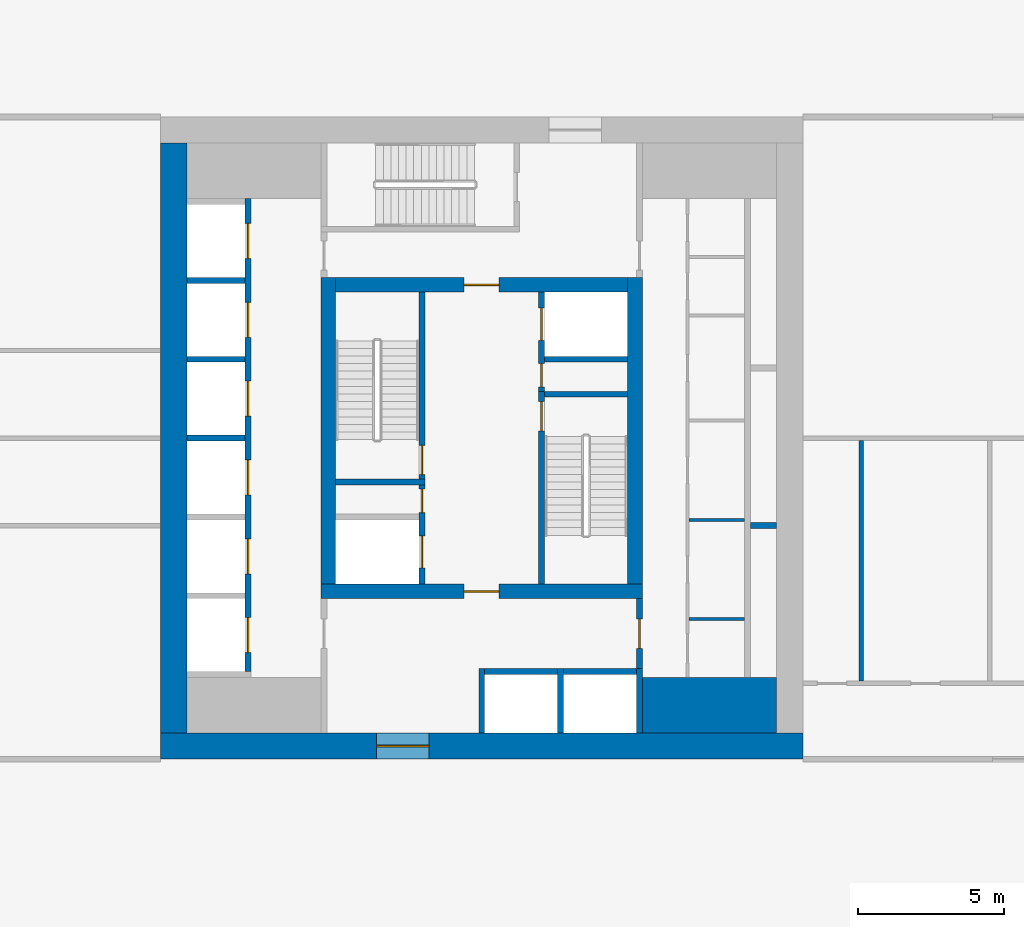
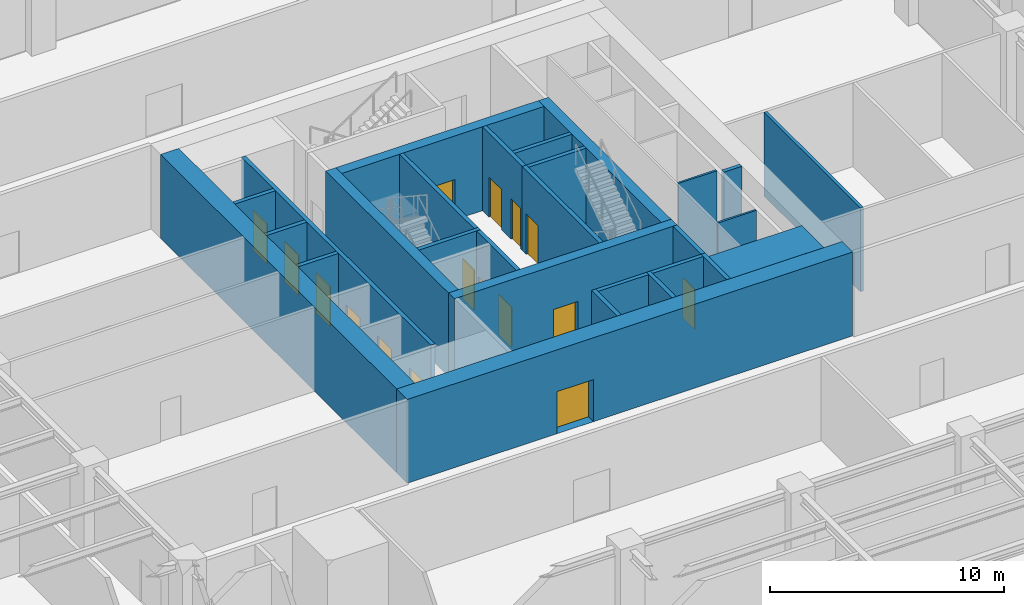
# One storey, part 19 of 32: 28 walls, 16 doors, 16 openings.
"""IFC4 building model written with IfcOpenShell, lengths in metres."""

import ifcopenshell
import ifcopenshell.guid

model = None  # the IFC model being written
_history = None  # IfcOwnerHistory: only IFC2X3 demands one
_inside = {}  # id of a spatial element -> (the spatial element, [elements in it])
_under = {}  # id of a project, library or spatial element -> (it, [spatial elements below it])
_declared = {}  # id of a project -> (the project, [libraries it declares])
_typed = {}  # id of a type object -> (the type object, [elements of that type])
_made_of = {}  # id of a material, layer set ... -> (it, [elements and type objects made of it])


def new_model(schema):
    """Start an empty IFC model of exactly this schema.

    Asked for "IFC4X3", IfcOpenShell would pick the latest addendum, in which some entities
    have other attributes; the version numbers below select the first issue.
    IFC2X3 requires an IfcOwnerHistory on every rooted entity: one is made here for all.
    """
    global model, _history
    if schema == "IFC4X3":
        model = ifcopenshell.file(schema_version=(4, 3, 0, 0))
    else:
        model = ifcopenshell.file(schema=schema)
    _inside.clear()
    _under.clear()
    _declared.clear()
    _typed.clear()
    _made_of.clear()
    _history = None
    if model.schema == "IFC2X3":
        org = make("IfcOrganization", Name="unknown")
        user = make(
            "IfcPersonAndOrganization",
            ThePerson=make("IfcPerson", FamilyName="unknown"),
            TheOrganization=org,
        )
        app = make(
            "IfcApplication",
            ApplicationDeveloper=org,
            Version="unknown",
            ApplicationFullName="unknown",
            ApplicationIdentifier="unknown",
        )
        _history = make(
            "IfcOwnerHistory",
            OwningUser=user,
            OwningApplication=app,
            ChangeAction="ADDED",
            CreationDate=0,
        )
    return model


def make(cls, **values):
    """One entity of the class cls with the attributes given. An attribute that is None is left unset."""
    return model.create_entity(
        cls, **{name: value for name, value in values.items() if value is not None}
    )


def rooted(cls, **values):
    """An entity with a GlobalId (a new one), such as an element, a storey or a relation."""
    return make(cls, GlobalId=ifcopenshell.guid.new(), OwnerHistory=_history, **values)


def si_unit(unit_type, name, prefix=None):
    """IfcSIUnit, for example si_unit("LENGTHUNIT", "METRE", prefix="MILLI")."""
    return make("IfcSIUnit", UnitType=unit_type, Prefix=prefix, Name=name)


def assignment(units):
    """IfcUnitAssignment: the units of a project."""
    return None if units is None else make("IfcUnitAssignment", Units=units)


def point(xyz):
    """IfcCartesianPoint."""
    return None if xyz is None else make("IfcCartesianPoint", Coordinates=xyz)


def direction(xyz):
    """IfcDirection."""
    return None if xyz is None else make("IfcDirection", DirectionRatios=xyz)


def frame(location, z_axis=None, x_axis=None):
    """IfcAxis2Placement3D, a coordinate frame: its origin and axes. An axis left out is left unset."""
    return make(
        "IfcAxis2Placement3D",
        Location=point(location),
        Axis=direction(z_axis),
        RefDirection=direction(x_axis),
    )


def frame_2d(location, x_axis=None):
    """IfcAxis2Placement2D, a coordinate frame in the plane: its origin and x axis."""
    return make(
        "IfcAxis2Placement2D", Location=point(location), RefDirection=direction(x_axis)
    )


def origin():
    """The frame at (0, 0, 0) with its axes left unset."""
    return frame((0.0, 0.0, 0.0))


def place(relative_to, where):
    """IfcLocalPlacement: puts the frame where relative to a parent placement (None: the world)."""
    return make(
        "IfcLocalPlacement", PlacementRelTo=relative_to, RelativePlacement=where
    )


def context(
    kind, dimensions, precision=None, world=None, true_north=None, identifier=None
):
    """IfcGeometricRepresentationContext, for example the 3D "Model" context."""
    return make(
        "IfcGeometricRepresentationContext",
        ContextIdentifier=identifier,
        ContextType=kind,
        CoordinateSpaceDimension=dimensions,
        Precision=precision,
        WorldCoordinateSystem=world,
        TrueNorth=true_north,
    )


def subcontext(parent, identifier, kind, view, scale=None):
    """IfcGeometricRepresentationSubContext, for example "Body" below "Model"."""
    return make(
        "IfcGeometricRepresentationSubContext",
        ContextIdentifier=identifier,
        ContextType=kind,
        ParentContext=parent,
        TargetScale=scale,
        TargetView=view,
    )


def project(units=None, contexts=None):
    """IfcProject with its units and contexts."""
    return rooted(
        "IfcProject",
        Name="project",
        RepresentationContexts=contexts,
        UnitsInContext=assignment(units),
    )


def spatial(cls, under=None, at=None, **own):
    """A site, building, storey or space (cls), placed at a placement, below another one or the project."""
    s = rooted(cls, ObjectPlacement=at, **own)
    if under is not None:
        _under.setdefault(under.id(), (under, []))[1].append(s)
    return s


def profile(cls, at=None, kind="AREA", **sizes):
    """A parametric profile (cls). Its sizes go by their IFC names, for example OverallWidth=200.0."""
    return make(cls, ProfileType=kind, Position=at, **sizes)


def rectangle(**sizes):
    """IfcRectangleProfileDef."""
    return profile("IfcRectangleProfileDef", **sizes)


def extrude(swept, where, along, depth):
    """IfcExtrudedAreaSolid: the profile swept, set in the frame where, extruded along a direction by depth."""
    return make(
        "IfcExtrudedAreaSolid",
        SweptArea=swept,
        Position=where,
        ExtrudedDirection=direction(along),
        Depth=depth,
    )


def shape(context_of_items, identifier, shape_type, items):
    """IfcShapeRepresentation: the items that make up one representation, for example the "Body"."""
    return make(
        "IfcShapeRepresentation",
        ContextOfItems=context_of_items,
        RepresentationIdentifier=identifier,
        RepresentationType=shape_type,
        Items=items,
    )


def material(Name=None, Category=None):
    """IfcMaterial."""
    return make("IfcMaterial", Name=Name, Category=Category)


def layer(
    of_material, thickness, ventilated=None, Name=None, Category=None, Priority=None
):
    """IfcMaterialLayer: one layer of a wall or slab, of a material (None: an air gap)."""
    return make(
        "IfcMaterialLayer",
        Material=of_material,
        LayerThickness=thickness,
        IsVentilated=ventilated,
        Name=Name,
        Category=Category,
        Priority=Priority,
    )


def layer_set(layers, Name=None):
    """IfcMaterialLayerSet."""
    return make("IfcMaterialLayerSet", MaterialLayers=layers, LayerSetName=Name)


def made_of(thing, what):
    """Note that an element or type object is made of a material, layer set ...; save() writes the relation."""
    if what is not None:
        _made_of.setdefault(what.id(), (what, []))[1].append(thing)
    return thing


def type_object(cls, material=None, **own):
    """A type object (cls), such as IfcWallType, which elements share."""
    return made_of(rooted(cls, **own), material)


def element(
    cls,
    number,
    at=None,
    inside=None,
    cuts=None,
    type_object=None,
    material=None,
    context=None,
    identifier="Body",
    shape_type=None,
    held_by="IfcProductDefinitionShape",
    body=None,
    shapes=None,
    **own,
):
    """One element of the class cls, such as IfcWall. Its Tag is "e" and its number.

    at: its placement. inside: the storey or other place that contains it. cuts: it is an
    opening in that element (IfcRelVoidsElement). A single representation is given by context,
    identifier, shape_type and body (its items); several are given by shapes. held_by: the class
    of the entity that holds the representations. save() writes the other relations.
    """
    e = rooted(cls, Tag="e%d" % number, ObjectPlacement=at, **own)
    if body is not None:
        shapes = [shape(context, identifier, shape_type, body)]
    if shapes is not None:
        e.Representation = make(held_by, Representations=shapes)
    if inside is not None:
        _inside.setdefault(inside.id(), (inside, []))[1].append(e)
    if cuts is not None:
        rooted(
            "IfcRelVoidsElement", RelatingBuildingElement=cuts, RelatedOpeningElement=e
        )
    if type_object is not None:
        _typed.setdefault(type_object.id(), (type_object, []))[1].append(e)
    return made_of(e, material)


def fill(opening, filler):
    """IfcRelFillsElement: the door or window that sits in an opening."""
    return rooted(
        "IfcRelFillsElement",
        RelatingOpeningElement=opening,
        RelatedBuildingElement=filler,
    )


def aggregate(whole, parts):
    """IfcRelAggregates: a whole, such as a stair, and the parts it consists of."""
    return rooted("IfcRelAggregates", RelatingObject=whole, RelatedObjects=parts)


def save(model, path):
    """Write the relations noted so far, then the file.

    IfcRelAggregates (storeys below a building ...), IfcRelContainedInSpatialStructure (elements
    in a storey), IfcRelDefinesByType, IfcRelAssociatesMaterial and IfcRelDeclares: one each for
    every whole, place, type object, material and project.
    """
    for whole, parts in _under.values():
        aggregate(whole, parts)
    for where, things in _inside.values():
        rooted(
            "IfcRelContainedInSpatialStructure",
            RelatedElements=things,
            RelatingStructure=where,
        )
    for kind, things in _typed.values():
        rooted("IfcRelDefinesByType", RelatedObjects=things, RelatingType=kind)
    for what, things in _made_of.values():
        rooted("IfcRelAssociatesMaterial", RelatedObjects=things, RelatingMaterial=what)
    for by, libraries in _declared.values():
        rooted("IfcRelDeclares", RelatingContext=by, RelatedDefinitions=libraries)
    model.write(path)


model = new_model("IFC4")

# Units and contexts
model_context = context("Model", 3, precision=1e-05, world=origin(), true_north=direction((0.0, 1.0)))
body_context = subcontext(model_context, "Body", "Model", "MODEL_VIEW")
ifc_project = project(units=[si_unit("LENGTHUNIT", "METRE"), si_unit("AREAUNIT", "SQUARE_METRE"), si_unit("VOLUMEUNIT", "CUBIC_METRE"), si_unit("PLANEANGLEUNIT", "RADIAN"), si_unit("MASSUNIT", "GRAM", prefix="KILO")], contexts=[model_context])

# Site, building, storey
site_placement = place(None, origin())
site = spatial("IfcSite", under=ifc_project, at=site_placement, CompositionType="ELEMENT")
building_placement = place(site_placement, origin())
building = spatial("IfcBuilding", under=site, at=building_placement, Name="Khepri Terraces", CompositionType="ELEMENT")
storey_placement = place(building_placement, frame((0.0, 0.0, 12.0)))
storey = spatial("IfcBuildingStorey", under=building, at=storey_placement, Name="L02", CompositionType="ELEMENT", Elevation=12.0)

# Wall
ifc_material_1 = material(Name="Concrete C80/95", Category="concrete")
ifc_layer_1 = layer(ifc_material_1, 1.89990234375, Name="Concrete C80/95", Category="concrete")
ifc_layer_set_1 = layer_set([ifc_layer_1], Name="Concrete C80/95")
wall_type_1 = type_object("IfcWallType", Name="Core wall 1900 C80/95", PredefinedType="SHEAR", material=ifc_layer_set_1)
wall_1_placement = place(storey_placement, frame((5.5, -9.14990234375, 0.0), z_axis=(0.0, 0.0, 1.0), x_axis=(1.0, 0.0, 0.0)))
element("IfcWall", 1, at=wall_1_placement, inside=storey, type_object=wall_type_1, Name="Core wall PR02 L02", PredefinedType="SHEAR", context=body_context, shape_type="SweptSolid", body=[
    extrude(rectangle(XDim=4.60009765625, YDim=1.89990234375, at=frame_2d((2.300048828125, 0.0))), origin(), (0.0, 0.0, 1.0), 4.3798828125),
])

# Wall, opening, door
ifc_layer_2 = layer(ifc_material_1, 0.199951171875, Name="Concrete C80/95", Category="concrete")
ifc_layer_set_2 = layer_set([ifc_layer_2], Name="Concrete C80/95")
wall_type_2 = type_object("IfcWallType", Name="Core wall 200 C80/95", PredefinedType="SHEAR", material=ifc_layer_set_2)
wall_2_placement = place(storey_placement, frame((2.050048828125, -5.0, 0.0), z_axis=(0.0, 0.0, 1.0), x_axis=(0.0, 1.0, 0.0)))
wall_2 = element("IfcWall", 2, at=wall_2_placement, inside=storey, type_object=wall_type_2, Name="Core wall ST01 L02", PredefinedType="SHEAR", context=body_context, shape_type="SweptSolid", body=[
    extrude(rectangle(XDim=6.60009765625, YDim=0.199951171875, at=frame_2d((3.300048828125, 0.0))), origin(), (0.0, 0.0, 1.0), 4.3798828125),
])
opening_1_placement = place(wall_2_placement, frame((5.25, 0.0, 0.0)))
opening_1 = element("IfcOpeningElement", 3, at=opening_1_placement, cuts=wall_2, Name="Opening L02-C10", PredefinedType="OPENING", context=body_context, shape_type="SweptSolid", body=[
    extrude(rectangle(XDim=1.0, YDim=2.10009765625, at=frame_2d((0.5, 1.050048828125))), frame((0.0, 0.10986328125, 0.0), z_axis=(0.0, -1.0, 0.0), x_axis=(1.0, 0.0, 0.0)), (0.0, 0.0, 1.0), 0.219970703125),
])
ifc_material_2 = material(Name="Painted steel", Category="steel")
door_type_1 = type_object("IfcDoorType", Name="DR-CORE-STAIR-1000", OperationType="NOTDEFINED", PredefinedType="DOOR", material=ifc_material_2)
door_1_placement = place(opening_1_placement, frame((1.0, 0.0, 0.0), z_axis=(0.0, 0.0, 1.0), x_axis=(-1.0, 0.0, 0.0)))
door_1 = element("IfcDoor", 4, at=door_1_placement, inside=storey, type_object=door_type_1, Name="Stair door L02-C10", OperationType="SINGLE_SWING_LEFT", OverallHeight=2.10009765625, OverallWidth=1.0, PredefinedType="DOOR", context=body_context, shape_type="SweptSolid", body=[
    extrude(rectangle(XDim=1.0, YDim=2.10009765625, at=frame_2d((0.5, 1.050048828125))), frame((0.0, 0.02490234375, 0.0), z_axis=(0.0, -1.0, 0.0), x_axis=(1.0, 0.0, 0.0)), (0.0, 0.0, 1.0), 0.050048828125),
])
fill(opening_1, door_1)

# Wall
wall_3_placement = place(storey_placement, frame((-5.0, -1.5, 0.0), z_axis=(0.0, 0.0, 1.0), x_axis=(1.0, 0.0, 0.0)))
element("IfcWall", 5, at=wall_3_placement, inside=storey, type_object=wall_type_2, Name="Core wall ST02 L02", PredefinedType="SHEAR", context=body_context, shape_type="SweptSolid", body=[
    extrude(rectangle(XDim=3.050048828125, YDim=0.199951171875, at=frame_2d((1.52490234375, 0.0))), origin(), (0.0, 0.0, 1.0), 4.3798828125),
])

# Wall, opening, door
wall_4_placement = place(storey_placement, frame((-2.050048828125, -1.39990234375, 0.0), z_axis=(0.0, 0.0, 1.0), x_axis=(0.0, 1.0, 0.0)))
wall_4 = element("IfcWall", 6, at=wall_4_placement, inside=storey, type_object=wall_type_2, Name="Core wall ST03 L02", PredefinedType="SHEAR", context=body_context, shape_type="SweptSolid", body=[
    extrude(rectangle(XDim=6.39990234375, YDim=0.199951171875, at=frame_2d((3.199951171875, 0.0))), origin(), (0.0, 0.0, 1.0), 4.3798828125),
])
opening_2_placement = place(wall_4_placement, frame((0.14990234375, 0.0, 0.0)))
opening_2 = element("IfcOpeningElement", 7, at=opening_2_placement, cuts=wall_4, Name="Opening L02-C09", PredefinedType="OPENING", context=body_context, shape_type="SweptSolid", body=[
    extrude(rectangle(XDim=1.0, YDim=2.10009765625, at=frame_2d((0.5, 1.050048828125))), frame((0.0, 0.10986328125, 0.0), z_axis=(0.0, -1.0, 0.0), x_axis=(1.0, 0.0, 0.0)), (0.0, 0.0, 1.0), 0.219970703125),
])
door_2_placement = place(opening_2_placement, origin())
door_2 = element("IfcDoor", 8, at=door_2_placement, inside=storey, type_object=door_type_1, Name="Stair door L02-C09", OperationType="SINGLE_SWING_LEFT", OverallHeight=2.10009765625, OverallWidth=1.0, PredefinedType="DOOR", context=body_context, shape_type="SweptSolid", body=[
    extrude(rectangle(XDim=1.0, YDim=2.10009765625, at=frame_2d((0.5, 1.050048828125))), frame((0.0, 0.02490234375, 0.0), z_axis=(0.0, -1.0, 0.0), x_axis=(1.0, 0.0, 0.0)), (0.0, 0.0, 1.0), 0.050048828125),
])
fill(opening_2, door_2)

# Walls
wall_5_placement = place(storey_placement, frame((2.14990234375, 1.5, 0.0), z_axis=(0.0, 0.0, 1.0), x_axis=(1.0, 0.0, 0.0)))
element("IfcWall", 9, at=wall_5_placement, inside=storey, type_object=wall_type_2, Name="Core wall ST04 L02", PredefinedType="SHEAR", context=body_context, shape_type="SweptSolid", body=[
    extrude(rectangle(XDim=2.85009765625, YDim=0.199951171875, at=frame_2d((1.425048828125, 0.0))), origin(), (0.0, 0.0, 1.0), 4.3798828125),
])
for number, where, z_axis, x_axis, name in (
    (10, (0.0, -10.10009765625, 0.0), (0.0, 0.0, 1.0), (0.0, 1.0, 0.0), "Core wall SH01 L02"),
    (11, (2.699951171875, -10.10009765625, 0.0), (0.0, 0.0, 1.0), (0.0, 1.0, 0.0), "Core wall SH02 L02"),
    (12, (5.39990234375, -10.10009765625, 0.0), (0.0, 0.0, 1.0), (0.0, 1.0, 0.0), "Core wall SH03 L02"),
):
    element("IfcWall", number, at=place(storey_placement, frame(where, z_axis=z_axis, x_axis=x_axis)), inside=storey, type_object=wall_type_2, Name=name, PredefinedType="SHEAR", context=body_context, shape_type="SweptSolid", body=[
        extrude(rectangle(XDim=2.2001953125, YDim=0.199951171875, at=frame_2d((1.10009765625, 0.0))), origin(), (0.0, 0.0, 1.0), 4.3798828125),
    ])
for number, where, z_axis, x_axis, name in (
    (13, (0.10009765625, -8.0, 0.0), (0.0, 0.0, 1.0), (1.0, 0.0, 0.0), "Core wall SH06 L02"),
    (14, (2.800048828125, -8.0, 0.0), (0.0, 0.0, 1.0), (1.0, 0.0, 0.0), "Core wall SH07 L02"),
):
    element("IfcWall", number, at=place(storey_placement, frame(where, z_axis=z_axis, x_axis=x_axis)), inside=storey, type_object=wall_type_2, Name=name, PredefinedType="SHEAR", context=body_context, shape_type="SweptSolid", body=[
        extrude(rectangle(XDim=2.5, YDim=0.199951171875, at=frame_2d((1.25, 0.0))), origin(), (0.0, 0.0, 1.0), 4.3798828125),
    ])

# Wall, openings, doors
wall_6_placement = place(storey_placement, frame((-8.0, -8.0, 0.0), z_axis=(0.0, 0.0, 1.0), x_axis=(0.0, 1.0, 0.0)))
wall_6 = element("IfcWall", 15, at=wall_6_placement, inside=storey, type_object=wall_type_2, Name="Core wall SH08 L02", PredefinedType="SHEAR", context=body_context, shape_type="SweptSolid", body=[
    extrude(rectangle(XDim=16.199951171875, YDim=0.199951171875, at=frame_2d((8.10009765625, 0.0))), origin(), (0.0, 0.0, 1.0), 4.3798828125),
])
opening_3_placement = place(wall_6_placement, frame((0.64990234375, 0.0, 0.0)))
opening_3 = element("IfcOpeningElement", 16, at=opening_3_placement, cuts=wall_6, Name="Opening L02-C01", PredefinedType="OPENING", context=body_context, shape_type="SweptSolid", body=[
    extrude(rectangle(XDim=1.199951171875, YDim=2.10009765625, at=frame_2d((0.60009765625, 1.050048828125))), frame((0.0, 0.10986328125, 0.0), z_axis=(0.0, -1.0, 0.0), x_axis=(1.0, 0.0, 0.0)), (0.0, 0.0, 1.0), 0.219970703125),
])
opening_4_placement = place(wall_6_placement, frame((3.35009765625, 0.0, 0.0)))
opening_4 = element("IfcOpeningElement", 17, at=opening_4_placement, cuts=wall_6, Name="Opening L02-C02", PredefinedType="OPENING", context=body_context, shape_type="SweptSolid", body=[
    extrude(rectangle(XDim=1.199951171875, YDim=2.10009765625, at=frame_2d((0.60009765625, 1.050048828125))), frame((0.0, 0.10986328125, 0.0), z_axis=(0.0, -1.0, 0.0), x_axis=(1.0, 0.0, 0.0)), (0.0, 0.0, 1.0), 0.219970703125),
])
opening_5_placement = place(wall_6_placement, frame((6.050048828125, 0.0, 0.0)))
opening_5 = element("IfcOpeningElement", 18, at=opening_5_placement, cuts=wall_6, Name="Opening L02-C03", PredefinedType="OPENING", context=body_context, shape_type="SweptSolid", body=[
    extrude(rectangle(XDim=1.199951171875, YDim=2.10009765625, at=frame_2d((0.60009765625, 1.050048828125))), frame((0.0, 0.10986328125, 0.0), z_axis=(0.0, -1.0, 0.0), x_axis=(1.0, 0.0, 0.0)), (0.0, 0.0, 1.0), 0.219970703125),
])
opening_6_placement = place(wall_6_placement, frame((8.75, 0.0, 0.0)))
opening_6 = element("IfcOpeningElement", 19, at=opening_6_placement, cuts=wall_6, Name="Opening L02-C04", PredefinedType="OPENING", context=body_context, shape_type="SweptSolid", body=[
    extrude(rectangle(XDim=1.199951171875, YDim=2.10009765625, at=frame_2d((0.60009765625, 1.050048828125))), frame((0.0, 0.10986328125, 0.0), z_axis=(0.0, -1.0, 0.0), x_axis=(1.0, 0.0, 0.0)), (0.0, 0.0, 1.0), 0.219970703125),
])
opening_7_placement = place(wall_6_placement, frame((11.449951171875, 0.0, 0.0)))
opening_7 = element("IfcOpeningElement", 20, at=opening_7_placement, cuts=wall_6, Name="Opening L02-C05", PredefinedType="OPENING", context=body_context, shape_type="SweptSolid", body=[
    extrude(rectangle(XDim=1.199951171875, YDim=2.10009765625, at=frame_2d((0.60009765625, 1.050048828125))), frame((0.0, 0.10986328125, 0.0), z_axis=(0.0, -1.0, 0.0), x_axis=(1.0, 0.0, 0.0)), (0.0, 0.0, 1.0), 0.219970703125),
])
opening_8_placement = place(wall_6_placement, frame((14.14990234375, 0.0, 0.0)))
opening_8 = element("IfcOpeningElement", 21, at=opening_8_placement, cuts=wall_6, Name="Opening L02-C06", PredefinedType="OPENING", context=body_context, shape_type="SweptSolid", body=[
    extrude(rectangle(XDim=1.199951171875, YDim=2.10009765625, at=frame_2d((0.60009765625, 1.050048828125))), frame((0.0, 0.10986328125, 0.0), z_axis=(0.0, -1.0, 0.0), x_axis=(1.0, 0.0, 0.0)), (0.0, 0.0, 1.0), 0.219970703125),
])
ifc_material_3 = material(Name="Stainless steel 304", Category="steel")
door_type_2 = type_object("IfcDoorType", Name="DR-CORE-LANDING-1200", OperationType="NOTDEFINED", PredefinedType="DOOR", material=ifc_material_3)
door_3_placement = place(opening_3_placement, origin())
door_3 = element("IfcDoor", 22, at=door_3_placement, inside=storey, type_object=door_type_2, Name="Lift landing door L02-C01", OperationType="SLIDING_TO_LEFT", OverallHeight=2.10009765625, OverallWidth=1.199951171875, PredefinedType="DOOR", context=body_context, shape_type="SweptSolid", body=[
    extrude(rectangle(XDim=1.199951171875, YDim=2.10009765625, at=frame_2d((0.60009765625, 1.050048828125))), frame((0.0, 0.02490234375, 0.0), z_axis=(0.0, -1.0, 0.0), x_axis=(1.0, 0.0, 0.0)), (0.0, 0.0, 1.0), 0.050048828125),
])
fill(opening_3, door_3)
door_4_placement = place(opening_4_placement, origin())
door_4 = element("IfcDoor", 23, at=door_4_placement, inside=storey, type_object=door_type_2, Name="Lift landing door L02-C02", OperationType="SLIDING_TO_LEFT", OverallHeight=2.10009765625, OverallWidth=1.199951171875, PredefinedType="DOOR", context=body_context, shape_type="SweptSolid", body=[
    extrude(rectangle(XDim=1.199951171875, YDim=2.10009765625, at=frame_2d((0.60009765625, 1.050048828125))), frame((0.0, 0.02490234375, 0.0), z_axis=(0.0, -1.0, 0.0), x_axis=(1.0, 0.0, 0.0)), (0.0, 0.0, 1.0), 0.050048828125),
])
fill(opening_4, door_4)
door_5_placement = place(opening_5_placement, origin())
door_5 = element("IfcDoor", 24, at=door_5_placement, inside=storey, type_object=door_type_2, Name="Lift landing door L02-C03", OperationType="SLIDING_TO_LEFT", OverallHeight=2.10009765625, OverallWidth=1.199951171875, PredefinedType="DOOR", context=body_context, shape_type="SweptSolid", body=[
    extrude(rectangle(XDim=1.199951171875, YDim=2.10009765625, at=frame_2d((0.60009765625, 1.050048828125))), frame((0.0, 0.02490234375, 0.0), z_axis=(0.0, -1.0, 0.0), x_axis=(1.0, 0.0, 0.0)), (0.0, 0.0, 1.0), 0.050048828125),
])
fill(opening_5, door_5)
door_6_placement = place(opening_6_placement, origin())
door_6 = element("IfcDoor", 25, at=door_6_placement, inside=storey, type_object=door_type_2, Name="Lift landing door L02-C04", OperationType="SLIDING_TO_LEFT", OverallHeight=2.10009765625, OverallWidth=1.199951171875, PredefinedType="DOOR", context=body_context, shape_type="SweptSolid", body=[
    extrude(rectangle(XDim=1.199951171875, YDim=2.10009765625, at=frame_2d((0.60009765625, 1.050048828125))), frame((0.0, 0.02490234375, 0.0), z_axis=(0.0, -1.0, 0.0), x_axis=(1.0, 0.0, 0.0)), (0.0, 0.0, 1.0), 0.050048828125),
])
fill(opening_6, door_6)
door_7_placement = place(opening_7_placement, origin())
door_7 = element("IfcDoor", 26, at=door_7_placement, inside=storey, type_object=door_type_2, Name="Lift landing door L02-C05", OperationType="SLIDING_TO_LEFT", OverallHeight=2.10009765625, OverallWidth=1.199951171875, PredefinedType="DOOR", context=body_context, shape_type="SweptSolid", body=[
    extrude(rectangle(XDim=1.199951171875, YDim=2.10009765625, at=frame_2d((0.60009765625, 1.050048828125))), frame((0.0, 0.02490234375, 0.0), z_axis=(0.0, -1.0, 0.0), x_axis=(1.0, 0.0, 0.0)), (0.0, 0.0, 1.0), 0.050048828125),
])
fill(opening_7, door_7)
door_8_placement = place(opening_8_placement, origin())
door_8 = element("IfcDoor", 27, at=door_8_placement, inside=storey, type_object=door_type_2, Name="Lift landing door L02-C06", OperationType="SLIDING_TO_LEFT", OverallHeight=2.10009765625, OverallWidth=1.199951171875, PredefinedType="DOOR", context=body_context, shape_type="SweptSolid", body=[
    extrude(rectangle(XDim=1.199951171875, YDim=2.10009765625, at=frame_2d((0.60009765625, 1.050048828125))), frame((0.0, 0.02490234375, 0.0), z_axis=(0.0, -1.0, 0.0), x_axis=(1.0, 0.0, 0.0)), (0.0, 0.0, 1.0), 0.050048828125),
])
fill(opening_8, door_8)

wall_7_placement = place(storey_placement, frame((-2.050048828125, -5.0, 0.0), z_axis=(0.0, 0.0, 1.0), x_axis=(0.0, 1.0, 0.0)))
wall_7 = element("IfcWall", 28, at=wall_7_placement, inside=storey, type_object=wall_type_2, Name="Core wall SH10 L02", PredefinedType="SHEAR", context=body_context, shape_type="SweptSolid", body=[
    extrude(rectangle(XDim=3.39990234375, YDim=0.199951171875, at=frame_2d((1.699951171875, 0.0))), origin(), (0.0, 0.0, 1.0), 4.3798828125),
])
opening_9_placement = place(wall_7_placement, frame((0.550048828125, 0.0, 0.0)))
opening_9 = element("IfcOpeningElement", 29, at=opening_9_placement, cuts=wall_7, Name="Opening L02-C08", PredefinedType="OPENING", context=body_context, shape_type="SweptSolid", body=[
    extrude(rectangle(XDim=1.10009765625, YDim=2.10009765625, at=frame_2d((0.550048828125, 1.050048828125))), frame((0.0, 0.10986328125, 0.0), z_axis=(0.0, -1.0, 0.0), x_axis=(1.0, 0.0, 0.0)), (0.0, 0.0, 1.0), 0.219970703125),
])
opening_10_placement = place(wall_7_placement, frame((2.449951171875, 0.0, 0.0)))
opening_10 = element("IfcOpeningElement", 30, at=opening_10_placement, cuts=wall_7, Name="Opening L02-C12", PredefinedType="OPENING", context=body_context, shape_type="SweptSolid", body=[
    extrude(rectangle(XDim=0.800048828125, YDim=2.10009765625, at=frame_2d((0.39990234375, 1.050048828125))), frame((0.0, 0.10986328125, 0.0), z_axis=(0.0, -1.0, 0.0), x_axis=(1.0, 0.0, 0.0)), (0.0, 0.0, 1.0), 0.219970703125),
])
door_type_3 = type_object("IfcDoorType", Name="DR-CORE-FF-LANDING-1100", OperationType="NOTDEFINED", PredefinedType="DOOR", material=ifc_material_3)
door_9_placement = place(opening_9_placement, origin())
door_9 = element("IfcDoor", 31, at=door_9_placement, inside=storey, type_object=door_type_3, Name="Firefighting lift landing door L02-C08", OperationType="SLIDING_TO_LEFT", OverallHeight=2.10009765625, OverallWidth=1.10009765625, PredefinedType="DOOR", context=body_context, shape_type="SweptSolid", body=[
    extrude(rectangle(XDim=1.10009765625, YDim=2.10009765625, at=frame_2d((0.550048828125, 1.050048828125))), frame((0.0, 0.02490234375, 0.0), z_axis=(0.0, -1.0, 0.0), x_axis=(1.0, 0.0, 0.0)), (0.0, 0.0, 1.0), 0.050048828125),
])
fill(opening_9, door_9)
door_type_4 = type_object("IfcDoorType", Name="DR-CORE-RISER-800", OperationType="NOTDEFINED", PredefinedType="DOOR", material=ifc_material_2)
door_10_placement = place(opening_10_placement, origin())
door_10 = element("IfcDoor", 32, at=door_10_placement, inside=storey, type_object=door_type_4, Name="Riser door L02-C12", OperationType="SINGLE_SWING_RIGHT", OverallHeight=2.10009765625, OverallWidth=0.800048828125, PredefinedType="DOOR", context=body_context, shape_type="SweptSolid", body=[
    extrude(rectangle(XDim=0.800048828125, YDim=2.10009765625, at=frame_2d((0.39990234375, 1.050048828125))), frame((0.0, 0.02490234375, 0.0), z_axis=(0.0, -1.0, 0.0), x_axis=(1.0, 0.0, 0.0)), (0.0, 0.0, 1.0), 0.050048828125),
])
fill(opening_10, door_10)

# Walls
wall_8_placement = place(storey_placement, frame((9.199951171875, -3.0, 0.0), z_axis=(0.0, 0.0, 1.0), x_axis=(1.0, 0.0, 0.0)))
element("IfcWall", 33, at=wall_8_placement, inside=storey, type_object=wall_type_2, Name="Core wall SH11 L02", PredefinedType="SHEAR", context=body_context, shape_type="SweptSolid", body=[
    extrude(rectangle(XDim=0.900146484375, YDim=0.199951171875, at=frame_2d((0.4501953125, 0.0))), origin(), (0.0, 0.0, 1.0), 4.3798828125),
])
wall_9_placement = place(storey_placement, frame((-10.10009765625, 0.0, 0.0), z_axis=(0.0, 0.0, 1.0), x_axis=(1.0, 0.0, 0.0)))
element("IfcWall", 34, at=wall_9_placement, inside=storey, type_object=wall_type_2, Name="Core wall SH14 L02", PredefinedType="SHEAR", context=body_context, shape_type="SweptSolid", body=[
    extrude(rectangle(XDim=2.0, YDim=0.199951171875, at=frame_2d((1.0, 0.0))), origin(), (0.0, 0.0, 1.0), 4.3798828125),
])

# Wall, openings, doors
wall_10_placement = place(storey_placement, frame((2.050048828125, 1.60009765625, 0.0), z_axis=(0.0, 0.0, 1.0), x_axis=(0.0, 1.0, 0.0)))
wall_10 = element("IfcWall", 35, at=wall_10_placement, inside=storey, type_object=wall_type_2, Name="Core wall SH15 L02", PredefinedType="SHEAR", context=body_context, shape_type="SweptSolid", body=[
    extrude(rectangle(XDim=3.39990234375, YDim=0.199951171875, at=frame_2d((1.699951171875, 0.0))), origin(), (0.0, 0.0, 1.0), 4.3798828125),
])
opening_11_placement = place(wall_10_placement, frame((1.75, 0.0, 0.0)))
opening_11 = element("IfcOpeningElement", 36, at=opening_11_placement, cuts=wall_10, Name="Opening L02-C07", PredefinedType="OPENING", context=body_context, shape_type="SweptSolid", body=[
    extrude(rectangle(XDim=1.10009765625, YDim=2.10009765625, at=frame_2d((0.550048828125, 1.050048828125))), frame((0.0, 0.10986328125, 0.0), z_axis=(0.0, -1.0, 0.0), x_axis=(1.0, 0.0, 0.0)), (0.0, 0.0, 1.0), 0.219970703125),
])
opening_12_placement = place(wall_10_placement, frame((0.14990234375, 0.0, 0.0)))
opening_12 = element("IfcOpeningElement", 37, at=opening_12_placement, cuts=wall_10, Name="Opening L02-C11", PredefinedType="OPENING", context=body_context, shape_type="SweptSolid", body=[
    extrude(rectangle(XDim=0.800048828125, YDim=2.10009765625, at=frame_2d((0.39990234375, 1.050048828125))), frame((0.0, 0.10986328125, 0.0), z_axis=(0.0, -1.0, 0.0), x_axis=(1.0, 0.0, 0.0)), (0.0, 0.0, 1.0), 0.219970703125),
])
door_11_placement = place(opening_11_placement, origin())
door_11 = element("IfcDoor", 38, at=door_11_placement, inside=storey, type_object=door_type_3, Name="Firefighting lift landing door L02-C07", OperationType="SLIDING_TO_LEFT", OverallHeight=2.10009765625, OverallWidth=1.10009765625, PredefinedType="DOOR", context=body_context, shape_type="SweptSolid", body=[
    extrude(rectangle(XDim=1.10009765625, YDim=2.10009765625, at=frame_2d((0.550048828125, 1.050048828125))), frame((0.0, 0.02490234375, 0.0), z_axis=(0.0, -1.0, 0.0), x_axis=(1.0, 0.0, 0.0)), (0.0, 0.0, 1.0), 0.050048828125),
])
fill(opening_11, door_11)
door_12_placement = place(opening_12_placement, frame((0.800048828125, 0.0, 0.0), z_axis=(0.0, 0.0, 1.0), x_axis=(-1.0, 0.0, 0.0)))
door_12 = element("IfcDoor", 39, at=door_12_placement, inside=storey, type_object=door_type_4, Name="Riser door L02-C11", OperationType="SINGLE_SWING_RIGHT", OverallHeight=2.10009765625, OverallWidth=0.800048828125, PredefinedType="DOOR", context=body_context, shape_type="SweptSolid", body=[
    extrude(rectangle(XDim=0.800048828125, YDim=2.10009765625, at=frame_2d((0.39990234375, 1.050048828125))), frame((0.0, 0.02490234375, 0.0), z_axis=(0.0, -1.0, 0.0), x_axis=(1.0, 0.0, 0.0)), (0.0, 0.0, 1.0), 0.050048828125),
])
fill(opening_12, door_12)

# Walls
wall_11_placement = place(storey_placement, frame((-10.10009765625, 2.699951171875, 0.0), z_axis=(0.0, 0.0, 1.0), x_axis=(1.0, 0.0, 0.0)))
element("IfcWall", 40, at=wall_11_placement, inside=storey, type_object=wall_type_2, Name="Core wall SH17 L02", PredefinedType="SHEAR", context=body_context, shape_type="SweptSolid", body=[
    extrude(rectangle(XDim=2.0, YDim=0.199951171875, at=frame_2d((1.0, 0.0))), origin(), (0.0, 0.0, 1.0), 4.3798828125),
])
wall_12_placement = place(storey_placement, frame((2.14990234375, 2.699951171875, 0.0), z_axis=(0.0, 0.0, 1.0), x_axis=(1.0, 0.0, 0.0)))
element("IfcWall", 41, at=wall_12_placement, inside=storey, type_object=wall_type_2, Name="Core wall SH18 L02", PredefinedType="SHEAR", context=body_context, shape_type="SweptSolid", body=[
    extrude(rectangle(XDim=2.85009765625, YDim=0.199951171875, at=frame_2d((1.425048828125, 0.0))), origin(), (0.0, 0.0, 1.0), 4.3798828125),
])
wall_13_placement = place(storey_placement, frame((-10.10009765625, 5.39990234375, 0.0), z_axis=(0.0, 0.0, 1.0), x_axis=(1.0, 0.0, 0.0)))
element("IfcWall", 42, at=wall_13_placement, inside=storey, type_object=wall_type_2, Name="Core wall SH19 L02", PredefinedType="SHEAR", context=body_context, shape_type="SweptSolid", body=[
    extrude(rectangle(XDim=2.0, YDim=0.199951171875, at=frame_2d((1.0, 0.0))), origin(), (0.0, 0.0, 1.0), 4.3798828125),
])

# Wall, opening, door
ifc_layer_3 = layer(ifc_material_1, 0.5, Name="Concrete C80/95", Category="concrete")
ifc_layer_set_3 = layer_set([ifc_layer_3], Name="Concrete C80/95")
wall_type_3 = type_object("IfcWallType", Name="Core wall 500 C80/95", PredefinedType="SHEAR", material=ifc_layer_set_3)
wall_14_placement = place(storey_placement, frame((-5.5, -5.25, 0.0), z_axis=(0.0, 0.0, 1.0), x_axis=(1.0, 0.0, 0.0)))
wall_14 = element("IfcWall", 43, at=wall_14_placement, inside=storey, type_object=wall_type_3, Name="Core wall BX01 L02", PredefinedType="SHEAR", context=body_context, shape_type="SweptSolid", body=[
    extrude(rectangle(XDim=11.0, YDim=0.5, at=frame_2d((5.5, 0.0))), origin(), (0.0, 0.0, 1.0), 4.3798828125),
])
opening_13_placement = place(wall_14_placement, frame((4.89990234375, 0.0, 0.0)))
opening_13 = element("IfcOpeningElement", 44, at=opening_13_placement, cuts=wall_14, Name="Opening L02-C14", PredefinedType="OPENING", context=body_context, shape_type="SweptSolid", body=[
    extrude(rectangle(XDim=1.199951171875, YDim=2.10009765625, at=frame_2d((0.60009765625, 1.050048828125))), frame((0.0, 0.260009765625, 0.0), z_axis=(0.0, -1.0, 0.0), x_axis=(1.0, 0.0, 0.0)), (0.0, 0.0, 1.0), 0.52001953125),
])
door_type_5 = type_object("IfcDoorType", Name="DR-CORE-FF-LOBBY-1200", OperationType="NOTDEFINED", PredefinedType="DOOR", material=ifc_material_2)
door_13_placement = place(opening_13_placement, origin())
door_13 = element("IfcDoor", 45, at=door_13_placement, inside=storey, type_object=door_type_5, Name="Firefighting lobby door L02-C14", OperationType="SINGLE_SWING_RIGHT", OverallHeight=2.10009765625, OverallWidth=1.199951171875, PredefinedType="DOOR", context=body_context, shape_type="SweptSolid", body=[
    extrude(rectangle(XDim=1.199951171875, YDim=2.10009765625, at=frame_2d((0.60009765625, 1.050048828125))), frame((0.0, 0.02490234375, 0.0), z_axis=(0.0, -1.0, 0.0), x_axis=(1.0, 0.0, 0.0)), (0.0, 0.0, 1.0), 0.050048828125),
])
fill(opening_13, door_13)

# Walls
for number, where, z_axis, x_axis, name in (
    (46, (-5.25, -5.0, 0.0), (0.0, 0.0, 1.0), (0.0, 1.0, 0.0), "Core wall BX02 L02"),
    (47, (5.25, -5.0, 0.0), (0.0, 0.0, 1.0), (0.0, 1.0, 0.0), "Core wall BX03 L02"),
):
    element("IfcWall", number, at=place(storey_placement, frame(where, z_axis=z_axis, x_axis=x_axis)), inside=storey, type_object=wall_type_3, Name=name, PredefinedType="SHEAR", context=body_context, shape_type="SweptSolid", body=[
        extrude(rectangle(XDim=10.5, YDim=0.5, at=frame_2d((5.25, 0.0))), origin(), (0.0, 0.0, 1.0), 4.3798828125),
    ])

# Wall, opening, door
wall_15_placement = place(storey_placement, frame((-5.0, 5.25, 0.0), z_axis=(0.0, 0.0, 1.0), x_axis=(1.0, 0.0, 0.0)))
wall_15 = element("IfcWall", 48, at=wall_15_placement, inside=storey, type_object=wall_type_3, Name="Core wall BX04 L02", PredefinedType="SHEAR", context=body_context, shape_type="SweptSolid", body=[
    extrude(rectangle(XDim=10.0, YDim=0.5, at=frame_2d((5.0, 0.0))), origin(), (0.0, 0.0, 1.0), 4.3798828125),
])
opening_14_placement = place(wall_15_placement, frame((4.39990234375, 0.0, 0.0)))
opening_14 = element("IfcOpeningElement", 49, at=opening_14_placement, cuts=wall_15, Name="Opening L02-C13", PredefinedType="OPENING", context=body_context, shape_type="SweptSolid", body=[
    extrude(rectangle(XDim=1.199951171875, YDim=2.10009765625, at=frame_2d((0.60009765625, 1.050048828125))), frame((0.0, 0.260009765625, 0.0), z_axis=(0.0, -1.0, 0.0), x_axis=(1.0, 0.0, 0.0)), (0.0, 0.0, 1.0), 0.52001953125),
])
door_14_placement = place(opening_14_placement, frame((1.199951171875, 0.0, 0.0), z_axis=(0.0, 0.0, 1.0), x_axis=(-1.0, 0.0, 0.0)))
door_14 = element("IfcDoor", 50, at=door_14_placement, inside=storey, type_object=door_type_5, Name="Firefighting lobby door L02-C13", OperationType="SINGLE_SWING_LEFT", OverallHeight=2.10009765625, OverallWidth=1.199951171875, PredefinedType="DOOR", context=body_context, shape_type="SweptSolid", body=[
    extrude(rectangle(XDim=1.199951171875, YDim=2.10009765625, at=frame_2d((0.60009765625, 1.050048828125))), frame((0.0, 0.02490234375, 0.0), z_axis=(0.0, -1.0, 0.0), x_axis=(1.0, 0.0, 0.0)), (0.0, 0.0, 1.0), 0.050048828125),
])
fill(opening_14, door_14)

ifc_layer_4 = layer(ifc_material_1, 0.89990234375, Name="Concrete C80/95", Category="concrete")
ifc_layer_set_4 = layer_set([ifc_layer_4], Name="Concrete C80/95")
wall_type_4 = type_object("IfcWallType", Name="Core wall 900 C80/95", PredefinedType="SHEAR", material=ifc_layer_set_4)
wall_16_placement = place(storey_placement, frame((-11.0, -10.550048828125, 0.0), z_axis=(0.0, 0.0, 1.0), x_axis=(1.0, 0.0, 0.0)))
wall_16 = element("IfcWall", 51, at=wall_16_placement, inside=storey, type_object=wall_type_4, Name="Core wall OW-S L02", PredefinedType="SHEAR", context=body_context, shape_type="SweptSolid", body=[
    extrude(rectangle(XDim=22.0, YDim=0.89990234375, at=frame_2d((11.0, 0.0))), origin(), (0.0, 0.0, 1.0), 4.3798828125),
])
opening_15_placement = place(wall_16_placement, frame((7.39990234375, 0.0, 0.0)))
opening_15 = element("IfcOpeningElement", 52, at=opening_15_placement, cuts=wall_16, Name="Opening L02-C21", PredefinedType="OPENING", context=body_context, shape_type="SweptSolid", body=[
    extrude(rectangle(XDim=1.800048828125, YDim=2.199951171875, at=frame_2d((0.89990234375, 1.10009765625))), frame((0.0, 0.4599609375, 0.0), z_axis=(0.0, -1.0, 0.0), x_axis=(1.0, 0.0, 0.0)), (0.0, 0.0, 1.0), 0.919921875),
])
door_type_6 = type_object("IfcDoorType", Name="DR-CORE-ENTRANCE-1800", OperationType="NOTDEFINED", PredefinedType="DOOR", material=ifc_material_2)
door_15_placement = place(opening_15_placement, frame((1.800048828125, 0.0, 0.0), z_axis=(0.0, 0.0, 1.0), x_axis=(-1.0, 0.0, 0.0)))
door_15 = element("IfcDoor", 53, at=door_15_placement, inside=storey, type_object=door_type_6, Name="Core entrance door pair L02-C21", OperationType="DOUBLE_DOOR_SINGLE_SWING", OverallHeight=2.199951171875, OverallWidth=1.800048828125, PredefinedType="DOOR", context=body_context, shape_type="SweptSolid", body=[
    extrude(rectangle(XDim=1.800048828125, YDim=2.199951171875, at=frame_2d((0.89990234375, 1.10009765625))), frame((0.0, 0.02490234375, 0.0), z_axis=(0.0, -1.0, 0.0), x_axis=(1.0, 0.0, 0.0)), (0.0, 0.0, 1.0), 0.050048828125),
])
fill(opening_15, door_15)

# Walls
wall_17_placement = place(storey_placement, frame((-10.550048828125, -10.10009765625, 0.0), z_axis=(0.0, 0.0, 1.0), x_axis=(0.0, 1.0, 0.0)))
element("IfcWall", 54, at=wall_17_placement, inside=storey, type_object=wall_type_4, Name="Core wall OW-W L02", PredefinedType="SHEAR", context=body_context, shape_type="SweptSolid", body=[
    extrude(rectangle(XDim=20.2001953125, YDim=0.89990234375, at=frame_2d((10.10009765625, 0.0))), origin(), (0.0, 0.0, 1.0), 4.3798828125),
])
ifc_material_4 = material(Name="Fire-rated gypsum board partition")
ifc_layer_5 = layer(ifc_material_4, 0.10009765625, Name="Fire-rated gypsum board partition")
ifc_layer_set_5 = layer_set([ifc_layer_5], Name="Fire-rated gypsum board partition")
wall_type_5 = type_object("IfcWallType", Name="WL-CORE-PART-100", PredefinedType="PARTITIONING", material=ifc_layer_set_5)
for number, where, z_axis, x_axis, name in (
    (55, (7.10009765625, -6.199951171875, 0.0), (0.0, 0.0, 1.0), (1.0, 0.0, 0.0), "Core partition PT04 L02"),
    (56, (7.10009765625, -2.800048828125, 0.0), (0.0, 0.0, 1.0), (1.0, 0.0, 0.0), "Core partition PT05 L02"),
):
    element("IfcWall", number, at=place(storey_placement, frame(where, z_axis=z_axis, x_axis=x_axis)), inside=storey, type_object=wall_type_5, Name=name, PredefinedType="PARTITIONING", context=body_context, shape_type="SweptSolid", body=[
        extrude(rectangle(XDim=1.89990234375, YDim=0.10009765625, at=frame_2d((0.949951171875, 0.0))), origin(), (0.0, 0.0, 1.0), 4.3798828125),
    ])

# Wall, opening, door
ifc_layer_6 = layer(ifc_material_4, 0.199951171875, Name="Fire-rated gypsum board partition")
ifc_layer_set_6 = layer_set([ifc_layer_6], Name="Fire-rated gypsum board partition")
wall_type_6 = type_object("IfcWallType", Name="WL-CORE-PART-200", PredefinedType="PARTITIONING", material=ifc_layer_set_6)
wall_18_placement = place(storey_placement, frame((5.39990234375, -7.89990234375, 0.0), z_axis=(0.0, 0.0, 1.0), x_axis=(0.0, 1.0, 0.0)))
wall_18 = element("IfcWall", 57, at=wall_18_placement, inside=storey, type_object=wall_type_6, Name="Core partition PT03 L02", PredefinedType="PARTITIONING", context=body_context, shape_type="SweptSolid", body=[
    extrude(rectangle(XDim=2.39990234375, YDim=0.199951171875, at=frame_2d((1.199951171875, 0.0))), origin(), (0.0, 0.0, 1.0), 4.3798828125),
])
opening_16_placement = place(wall_18_placement, frame((0.699951171875, 0.0, 0.0)))
opening_16 = element("IfcOpeningElement", 58, at=opening_16_placement, cuts=wall_18, Name="Opening L02-C19", PredefinedType="OPENING", context=body_context, shape_type="SweptSolid", body=[
    extrude(rectangle(XDim=1.0, YDim=2.10009765625, at=frame_2d((0.5, 1.050048828125))), frame((0.0, 0.10986328125, 0.0), z_axis=(0.0, -1.0, 0.0), x_axis=(1.0, 0.0, 0.0)), (0.0, 0.0, 1.0), 0.219970703125),
])
door_type_7 = type_object("IfcDoorType", Name="DR-CORE-LOBBY-1000", OperationType="NOTDEFINED", PredefinedType="DOOR", material=ifc_material_2)
door_16_placement = place(opening_16_placement, origin())
door_16 = element("IfcDoor", 59, at=door_16_placement, inside=storey, type_object=door_type_7, Name="Lobby door L02-C19", OperationType="SINGLE_SWING_RIGHT", OverallHeight=2.10009765625, OverallWidth=1.0, PredefinedType="DOOR", context=body_context, shape_type="SweptSolid", body=[
    extrude(rectangle(XDim=1.0, YDim=2.10009765625, at=frame_2d((0.5, 1.050048828125))), frame((0.0, 0.02490234375, 0.0), z_axis=(0.0, -1.0, 0.0), x_axis=(1.0, 0.0, 0.0)), (0.0, 0.0, 1.0), 0.050048828125),
])
fill(opening_16, door_16)

# Wall
ifc_material_5 = material(Name="Gypsum board partition")
ifc_layer_7 = layer(ifc_material_5, 0.14990234375, Name="Gypsum board partition")
ifc_layer_set_7 = layer_set([ifc_layer_7], Name="Gypsum board partition")
wall_type_7 = type_object("IfcWallType", Name="WL-POD-150", PredefinedType="PARTITIONING", material=ifc_layer_set_7)
wall_19_placement = place(storey_placement, frame((13.0, -8.324951171875, 0.0), z_axis=(0.0, 0.0, 1.0), x_axis=(0.0, 1.0, 0.0)))
element("IfcWall", 60, at=wall_19_placement, inside=storey, type_object=wall_type_7, Name="Partition L02-PW055", PredefinedType="PARTITIONING", context=body_context, shape_type="SweptSolid", body=[
    extrude(rectangle(XDim=8.25, YDim=0.14990234375, at=frame_2d((4.125, 0.0))), origin(), (0.0, 0.0, 1.0), 4.3798828125),
])

save(model, "model.ifc")
